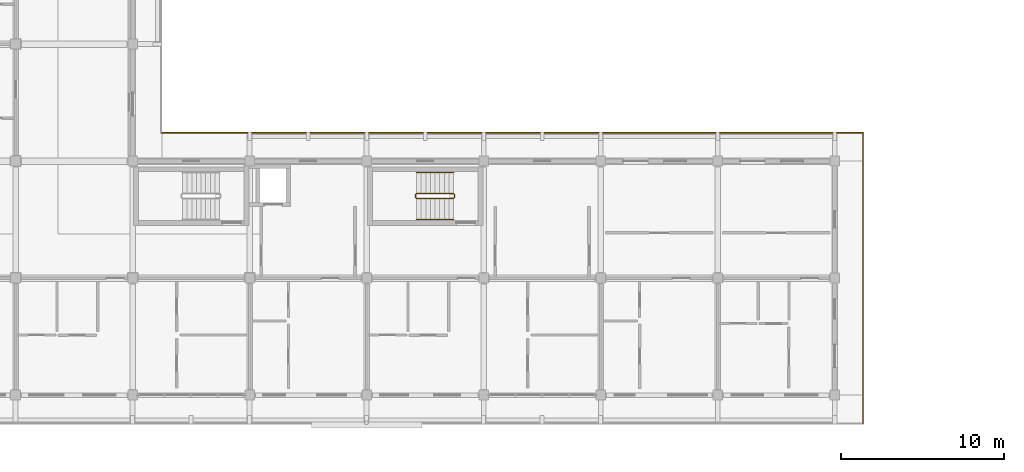
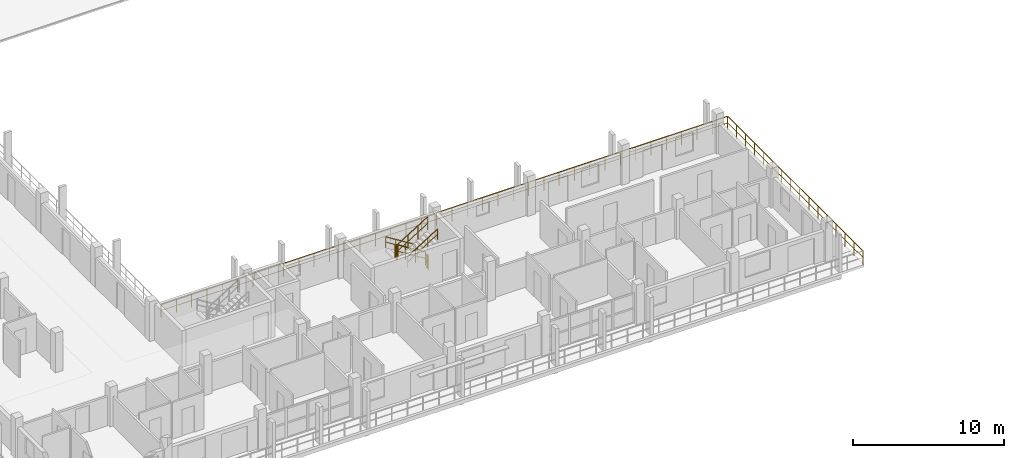
# One storey, part 145 of 157: 8 railings.
"""IFC4 building model written with IfcOpenShell, lengths in metres."""

from ifc_helpers import new_model, si_unit, direction, frame, origin, origin_2d, place, context, subcontext, project, spatial, rectangle, extrude, material, type_object, element, save


model = new_model("IFC4")

# Units and contexts
model_context = context("Model", 3, precision=1e-05, world=origin(), true_north=direction((0.0, 1.0)))
body_context = subcontext(model_context, "Body", "Model", "MODEL_VIEW")
ifc_project = project(units=[si_unit("LENGTHUNIT", "METRE"), si_unit("AREAUNIT", "SQUARE_METRE"), si_unit("VOLUMEUNIT", "CUBIC_METRE"), si_unit("PLANEANGLEUNIT", "RADIAN"), si_unit("MASSUNIT", "GRAM", prefix="KILO")], contexts=[model_context])

# Site, building, storey
site_placement = place(None, origin())
site = spatial("IfcSite", under=ifc_project, at=site_placement, CompositionType="ELEMENT")
building_placement = place(site_placement, origin())
building = spatial("IfcBuilding", under=site, at=building_placement, Name="Suanplinth Sawtooth Commons", CompositionType="ELEMENT")
storey_placement = place(building_placement, frame((0.0, 0.0, 9.0)))
storey = spatial("IfcBuildingStorey", under=building, at=storey_placement, Name="L02", CompositionType="ELEMENT", Elevation=9.0)

# Railings
ifc_material_1 = material(Name="Powder-coated galvanized steel", Category="steel")
railing_type_1 = type_object("IfcRailingType", Name="GR-01", PredefinedType="BALUSTRADE", material=ifc_material_1)
railing_1_placement = place(storey_placement, frame((16.139892578125, 16.139892578125, 0.0)))
element("IfcRailing", 1, at=railing_1_placement, inside=storey, type_object=railing_type_1, Name="L02 Block D Perimeter Balustrade 4", PredefinedType="BALUSTRADE", context=body_context, shape_type="SweptSolid", body=[
    extrude(rectangle(XDim=0.048095703125, YDim=0.048095703125, at=origin_2d()), frame((0.0, 0.0, 1.09619140625), z_axis=(1.0, 0.0, 0.0), x_axis=(0.0, 1.0, 0.0)), (0.0, 0.0, 1.0), 43.2001953125),
    extrude(rectangle(XDim=0.03369140625, YDim=0.03369140625, at=origin_2d()), frame((0.0, 0.0, 0.56005859375), z_axis=(1.0, 0.0, 0.0), x_axis=(0.0, 1.0, 0.0)), (0.0, 0.0, 1.0), 43.2001953125),
    extrude(rectangle(XDim=0.0419921875, YDim=0.0419921875, at=origin_2d()), origin(), (0.0, 0.0, 1.0), 1.072021484375),
    extrude(rectangle(XDim=0.0419921875, YDim=0.0419921875, at=origin_2d()), frame((1.16748046875, 0.0, 0.0)), (0.0, 0.0, 1.0), 1.072021484375),
    extrude(rectangle(XDim=0.0419921875, YDim=0.0419921875, at=origin_2d()), frame((2.335205078125, 0.0, 0.0)), (0.0, 0.0, 1.0), 1.072021484375),
    extrude(rectangle(XDim=0.0419921875, YDim=0.0419921875, at=origin_2d()), frame((3.502685546875, 0.0, 0.0)), (0.0, 0.0, 1.0), 1.072021484375),
    extrude(rectangle(XDim=0.0419921875, YDim=0.0419921875, at=origin_2d()), frame((4.67041015625, 0.0, 0.0)), (0.0, 0.0, 1.0), 1.072021484375),
    extrude(rectangle(XDim=0.0419921875, YDim=0.0419921875, at=origin_2d()), frame((5.837890625, 0.0, 0.0)), (0.0, 0.0, 1.0), 1.072021484375),
    extrude(rectangle(XDim=0.0419921875, YDim=0.0419921875, at=origin_2d()), frame((7.00537109375, 0.0, 0.0)), (0.0, 0.0, 1.0), 1.072021484375),
    extrude(rectangle(XDim=0.0419921875, YDim=0.0419921875, at=origin_2d()), frame((8.173095703125, 0.0, 0.0)), (0.0, 0.0, 1.0), 1.072021484375),
    extrude(rectangle(XDim=0.0419921875, YDim=0.0419921875, at=origin_2d()), frame((9.340576171875, 0.0, 0.0)), (0.0, 0.0, 1.0), 1.072021484375),
    extrude(rectangle(XDim=0.0419921875, YDim=0.0419921875, at=origin_2d()), frame((10.508056640625, 0.0, 0.0)), (0.0, 0.0, 1.0), 1.072021484375),
    extrude(rectangle(XDim=0.0419921875, YDim=0.0419921875, at=origin_2d()), frame((11.67578125, 0.0, 0.0)), (0.0, 0.0, 1.0), 1.072021484375),
    extrude(rectangle(XDim=0.0419921875, YDim=0.0419921875, at=origin_2d()), frame((12.84326171875, 0.0, 0.0)), (0.0, 0.0, 1.0), 1.072021484375),
    extrude(rectangle(XDim=0.0419921875, YDim=0.0419921875, at=origin_2d()), frame((14.010986328125, 0.0, 0.0)), (0.0, 0.0, 1.0), 1.072021484375),
    extrude(rectangle(XDim=0.0419921875, YDim=0.0419921875, at=origin_2d()), frame((15.178466796875, 0.0, 0.0)), (0.0, 0.0, 1.0), 1.072021484375),
    extrude(rectangle(XDim=0.0419921875, YDim=0.0419921875, at=origin_2d()), frame((16.345947265625, 0.0, 0.0)), (0.0, 0.0, 1.0), 1.072021484375),
    extrude(rectangle(XDim=0.0419921875, YDim=0.0419921875, at=origin_2d()), frame((17.513671875, 0.0, 0.0)), (0.0, 0.0, 1.0), 1.072021484375),
    extrude(rectangle(XDim=0.0419921875, YDim=0.0419921875, at=origin_2d()), frame((18.68115234375, 0.0, 0.0)), (0.0, 0.0, 1.0), 1.072021484375),
    extrude(rectangle(XDim=0.0419921875, YDim=0.0419921875, at=origin_2d()), frame((19.8486328125, 0.0, 0.0)), (0.0, 0.0, 1.0), 1.072021484375),
    extrude(rectangle(XDim=0.0419921875, YDim=0.0419921875, at=origin_2d()), frame((21.016357421875, 0.0, 0.0)), (0.0, 0.0, 1.0), 1.072021484375),
    extrude(rectangle(XDim=0.0419921875, YDim=0.0419921875, at=origin_2d()), frame((22.183837890625, 0.0, 0.0)), (0.0, 0.0, 1.0), 1.072021484375),
    extrude(rectangle(XDim=0.0419921875, YDim=0.0419921875, at=origin_2d()), frame((23.3515625, 0.0, 0.0)), (0.0, 0.0, 1.0), 1.072021484375),
    extrude(rectangle(XDim=0.0419921875, YDim=0.0419921875, at=origin_2d()), frame((24.51904296875, 0.0, 0.0)), (0.0, 0.0, 1.0), 1.072021484375),
    extrude(rectangle(XDim=0.0419921875, YDim=0.0419921875, at=origin_2d()), frame((25.6865234375, 0.0, 0.0)), (0.0, 0.0, 1.0), 1.072021484375),
    extrude(rectangle(XDim=0.0419921875, YDim=0.0419921875, at=origin_2d()), frame((26.854248046875, 0.0, 0.0)), (0.0, 0.0, 1.0), 1.072021484375),
    extrude(rectangle(XDim=0.0419921875, YDim=0.0419921875, at=origin_2d()), frame((28.021728515625, 0.0, 0.0)), (0.0, 0.0, 1.0), 1.072021484375),
    extrude(rectangle(XDim=0.0419921875, YDim=0.0419921875, at=origin_2d()), frame((29.189208984375, 0.0, 0.0)), (0.0, 0.0, 1.0), 1.072021484375),
    extrude(rectangle(XDim=0.0419921875, YDim=0.0419921875, at=origin_2d()), frame((30.35693359375, 0.0, 0.0)), (0.0, 0.0, 1.0), 1.072021484375),
    extrude(rectangle(XDim=0.0419921875, YDim=0.0419921875, at=origin_2d()), frame((31.5244140625, 0.0, 0.0)), (0.0, 0.0, 1.0), 1.072021484375),
    extrude(rectangle(XDim=0.0419921875, YDim=0.0419921875, at=origin_2d()), frame((32.692138671875, 0.0, 0.0)), (0.0, 0.0, 1.0), 1.072021484375),
    extrude(rectangle(XDim=0.0419921875, YDim=0.0419921875, at=origin_2d()), frame((33.859619140625, 0.0, 0.0)), (0.0, 0.0, 1.0), 1.072021484375),
    extrude(rectangle(XDim=0.0419921875, YDim=0.0419921875, at=origin_2d()), frame((35.027099609375, 0.0, 0.0)), (0.0, 0.0, 1.0), 1.072021484375),
    extrude(rectangle(XDim=0.0419921875, YDim=0.0419921875, at=origin_2d()), frame((36.19482421875, 0.0, 0.0)), (0.0, 0.0, 1.0), 1.072021484375),
    extrude(rectangle(XDim=0.0419921875, YDim=0.0419921875, at=origin_2d()), frame((37.3623046875, 0.0, 0.0)), (0.0, 0.0, 1.0), 1.072021484375),
    extrude(rectangle(XDim=0.0419921875, YDim=0.0419921875, at=origin_2d()), frame((38.52978515625, 0.0, 0.0)), (0.0, 0.0, 1.0), 1.072021484375),
    extrude(rectangle(XDim=0.0419921875, YDim=0.0419921875, at=origin_2d()), frame((39.697509765625, 0.0, 0.0)), (0.0, 0.0, 1.0), 1.072021484375),
    extrude(rectangle(XDim=0.0419921875, YDim=0.0419921875, at=origin_2d()), frame((40.864990234375, 0.0, 0.0)), (0.0, 0.0, 1.0), 1.072021484375),
    extrude(rectangle(XDim=0.0419921875, YDim=0.0419921875, at=origin_2d()), frame((42.03271484375, 0.0, 0.0)), (0.0, 0.0, 1.0), 1.072021484375),
    extrude(rectangle(XDim=0.0419921875, YDim=0.0419921875, at=origin_2d()), frame((43.2001953125, 0.0, 0.0)), (0.0, 0.0, 1.0), 1.072021484375),
])
railing_2_placement = place(storey_placement, frame((59.340087890625, 16.139892578125, 0.0)))
element("IfcRailing", 2, at=railing_2_placement, inside=storey, type_object=railing_type_1, Name="L02 Block D Perimeter Balustrade 5", PredefinedType="BALUSTRADE", context=body_context, shape_type="SweptSolid", body=[
    extrude(rectangle(XDim=0.048095703125, YDim=0.048095703125, at=origin_2d()), frame((0.0, 0.0, 1.09619140625), z_axis=(0.0, -1.0, 0.0), x_axis=(1.0, 0.0, 0.0)), (0.0, 0.0, 1.0), 17.8798828125),
    extrude(rectangle(XDim=0.03369140625, YDim=0.03369140625, at=origin_2d()), frame((0.0, 0.0, 0.56005859375), z_axis=(0.0, -1.0, 0.0), x_axis=(1.0, 0.0, 0.0)), (0.0, 0.0, 1.0), 17.8798828125),
    extrude(rectangle(XDim=0.0419921875, YDim=0.0419921875, at=origin_2d()), origin(), (0.0, 0.0, 1.0), 1.072021484375),
    extrude(rectangle(XDim=0.0419921875, YDim=0.0419921875, at=origin_2d()), frame((0.0, -1.19189453125, 0.0)), (0.0, 0.0, 1.0), 1.072021484375),
    extrude(rectangle(XDim=0.0419921875, YDim=0.0419921875, at=origin_2d()), frame((0.0, -2.384033203125, 0.0)), (0.0, 0.0, 1.0), 1.072021484375),
    extrude(rectangle(XDim=0.0419921875, YDim=0.0419921875, at=origin_2d()), frame((0.0, -3.575927734375, 0.0)), (0.0, 0.0, 1.0), 1.072021484375),
    extrude(rectangle(XDim=0.0419921875, YDim=0.0419921875, at=origin_2d()), frame((0.0, -4.76806640625, 0.0)), (0.0, 0.0, 1.0), 1.072021484375),
    extrude(rectangle(XDim=0.0419921875, YDim=0.0419921875, at=origin_2d()), frame((0.0, -5.9599609375, 0.0)), (0.0, 0.0, 1.0), 1.072021484375),
    extrude(rectangle(XDim=0.0419921875, YDim=0.0419921875, at=origin_2d()), frame((0.0, -7.15185546875, 0.0)), (0.0, 0.0, 1.0), 1.072021484375),
    extrude(rectangle(XDim=0.0419921875, YDim=0.0419921875, at=origin_2d()), frame((0.0, -8.343994140625, 0.0)), (0.0, 0.0, 1.0), 1.072021484375),
    extrude(rectangle(XDim=0.0419921875, YDim=0.0419921875, at=origin_2d()), frame((0.0, -9.535888671875, 0.0)), (0.0, 0.0, 1.0), 1.072021484375),
    extrude(rectangle(XDim=0.0419921875, YDim=0.0419921875, at=origin_2d()), frame((0.0, -10.72802734375, 0.0)), (0.0, 0.0, 1.0), 1.072021484375),
    extrude(rectangle(XDim=0.0419921875, YDim=0.0419921875, at=origin_2d()), frame((0.0, -11.919921875, 0.0)), (0.0, 0.0, 1.0), 1.072021484375),
    extrude(rectangle(XDim=0.0419921875, YDim=0.0419921875, at=origin_2d()), frame((0.0, -13.11181640625, 0.0)), (0.0, 0.0, 1.0), 1.072021484375),
    extrude(rectangle(XDim=0.0419921875, YDim=0.0419921875, at=origin_2d()), frame((0.0, -14.303955078125, 0.0)), (0.0, 0.0, 1.0), 1.072021484375),
    extrude(rectangle(XDim=0.0419921875, YDim=0.0419921875, at=origin_2d()), frame((0.0, -15.495849609375, 0.0)), (0.0, 0.0, 1.0), 1.072021484375),
    extrude(rectangle(XDim=0.0419921875, YDim=0.0419921875, at=origin_2d()), frame((0.0, -16.68798828125, 0.0)), (0.0, 0.0, 1.0), 1.072021484375),
    extrude(rectangle(XDim=0.0419921875, YDim=0.0419921875, at=origin_2d()), frame((0.0, -17.8798828125, 0.0)), (0.0, 0.0, 1.0), 1.072021484375),
])
ifc_material_2 = material(Name="Stainless steel Grade 304", Category="steel")
railing_type_2 = type_object("IfcRailingType", Name="GR-04", PredefinedType="GUARDRAIL", material=ifc_material_2)
railing_3_placement = place(storey_placement, frame((34.14990234375, 12.39990234375, 0.177734375)))
element("IfcRailing", 3, at=railing_3_placement, inside=storey, type_object=railing_type_2, Name="L02 ST-W2 Guard 1", PredefinedType="GUARDRAIL", context=body_context, shape_type="SweptSolid", body=[
    extrude(rectangle(XDim=0.048095703125, YDim=0.048095703125, at=origin_2d()), frame((0.0, 0.0, 1.076171875), z_axis=(-0.848416591296, 0.0, 0.529329091978), x_axis=(0.0, -1.0, 0.0)), (0.0, 0.0, 1.0), 2.68701171875),
    extrude(rectangle(XDim=0.03369140625, YDim=0.03369140625, at=origin_2d()), frame((0.0, 0.0, 0.550048828125), z_axis=(-0.848416591296, 0.0, 0.529329091978), x_axis=(0.0, -1.0, 0.0)), (0.0, 0.0, 1.0), 2.68701171875),
    extrude(rectangle(XDim=0.0419921875, YDim=0.0419921875, at=origin_2d()), origin(), (0.0, 0.0, 1.0), 1.052001953125),
    extrude(rectangle(XDim=0.0419921875, YDim=0.0419921875, at=origin_2d()), frame((-0.760009765625, 0.0, 0.47412109375)), (0.0, 0.0, 1.0), 1.052001953125),
    extrude(rectangle(XDim=0.0419921875, YDim=0.0419921875, at=origin_2d()), frame((-1.519775390625, 0.0, 0.9482421875)), (0.0, 0.0, 1.0), 1.052001953125),
    extrude(rectangle(XDim=0.0419921875, YDim=0.0419921875, at=origin_2d()), frame((-2.27978515625, 0.0, 1.42236328125)), (0.0, 0.0, 1.0), 1.052001953125),
])
railing_4_placement = place(storey_placement, frame((31.820068359375, 12.35009765625, 1.60009765625)))
element("IfcRailing", 4, at=railing_4_placement, inside=storey, type_object=railing_type_2, Name="L02 ST-W2 Guard 2", PredefinedType="GUARDRAIL", context=body_context, shape_type="SweptSolid", body=[
    extrude(rectangle(XDim=0.048095703125, YDim=0.048095703125, at=origin_2d()), frame((0.0, 0.0, 1.076171875), z_axis=(0.0, -1.0, 0.0), x_axis=(1.0, 0.0, 0.0)), (0.0, 0.0, 1.0), 0.2001953125),
    extrude(rectangle(XDim=0.03369140625, YDim=0.03369140625, at=origin_2d()), frame((0.0, 0.0, 0.550048828125), z_axis=(0.0, -1.0, 0.0), x_axis=(1.0, 0.0, 0.0)), (0.0, 0.0, 1.0), 0.2001953125),
    extrude(rectangle(XDim=0.0419921875, YDim=0.0419921875, at=origin_2d()), origin(), (0.0, 0.0, 1.0), 1.052001953125),
    extrude(rectangle(XDim=0.0419921875, YDim=0.0419921875, at=origin_2d()), frame((0.0, -0.2001953125, 0.0)), (0.0, 0.0, 1.0), 1.052001953125),
])
railing_5_placement = place(storey_placement, frame((31.8701171875, 12.10009765625, 1.77783203125)))
element("IfcRailing", 5, at=railing_5_placement, inside=storey, type_object=railing_type_2, Name="L02 ST-W2 Guard 3", PredefinedType="GUARDRAIL", context=body_context, shape_type="SweptSolid", body=[
    extrude(rectangle(XDim=0.048095703125, YDim=0.048095703125, at=origin_2d()), frame((0.0, 0.0, 1.076171875), z_axis=(0.848457393559, 0.0, 0.529263687886), x_axis=(0.0, 1.0, 0.0)), (0.0, 0.0, 1.0), 2.68701171875),
    extrude(rectangle(XDim=0.03369140625, YDim=0.03369140625, at=origin_2d()), frame((0.0, 0.0, 0.550048828125), z_axis=(0.848457393559, 0.0, 0.529263687886), x_axis=(0.0, 1.0, 0.0)), (0.0, 0.0, 1.0), 2.68701171875),
    extrude(rectangle(XDim=0.0419921875, YDim=0.0419921875, at=origin_2d()), origin(), (0.0, 0.0, 1.0), 1.052001953125),
    extrude(rectangle(XDim=0.0419921875, YDim=0.0419921875, at=origin_2d()), frame((0.760009765625, 0.0, 0.47412109375)), (0.0, 0.0, 1.0), 1.052001953125),
    extrude(rectangle(XDim=0.0419921875, YDim=0.0419921875, at=origin_2d()), frame((1.519775390625, 0.0, 0.947998046875)), (0.0, 0.0, 1.0), 1.052001953125),
    extrude(rectangle(XDim=0.0419921875, YDim=0.0419921875, at=origin_2d()), frame((2.27978515625, 0.0, 1.422119140625)), (0.0, 0.0, 1.0), 1.052001953125),
])
railing_6_placement = place(storey_placement, frame((34.199951171875, 12.35009765625, 0.0)))
element("IfcRailing", 6, at=railing_6_placement, inside=storey, type_object=railing_type_2, Name="L02 ST-W2 Guard 4", PredefinedType="GUARDRAIL", context=body_context, shape_type="SweptSolid", body=[
    extrude(rectangle(XDim=0.048095703125, YDim=0.048095703125, at=origin_2d()), frame((0.0, 0.0, 1.076171875), z_axis=(0.0, -1.0, 0.0), x_axis=(1.0, 0.0, 0.0)), (0.0, 0.0, 1.0), 0.2001953125),
    extrude(rectangle(XDim=0.03369140625, YDim=0.03369140625, at=origin_2d()), frame((0.0, 0.0, 0.550048828125), z_axis=(0.0, -1.0, 0.0), x_axis=(1.0, 0.0, 0.0)), (0.0, 0.0, 1.0), 0.2001953125),
    extrude(rectangle(XDim=0.0419921875, YDim=0.0419921875, at=origin_2d()), origin(), (0.0, 0.0, 1.0), 1.052001953125),
    extrude(rectangle(XDim=0.0419921875, YDim=0.0419921875, at=origin_2d()), frame((0.0, -0.2001953125, 0.0)), (0.0, 0.0, 1.0), 1.052001953125),
])
railing_type_3 = type_object("IfcRailingType", Name="HR-01", PredefinedType="HANDRAIL", material=ifc_material_2)
railing_7_placement = place(storey_placement, frame((34.14990234375, 13.699951171875, 0.177734375)))
element("IfcRailing", 7, at=railing_7_placement, inside=storey, type_object=railing_type_3, Name="L02 ST-W2 Handrail 1", PredefinedType="HANDRAIL", context=body_context, shape_type="SweptSolid", body=[
    extrude(rectangle(XDim=0.048095703125, YDim=0.048095703125, at=origin_2d()), frame((0.0, 0.0, 0.8759765625), z_axis=(-0.848416591296, 0.0, 0.529329091978), x_axis=(0.0, -1.0, 0.0)), (0.0, 0.0, 1.0), 2.68701171875),
    extrude(rectangle(XDim=0.03369140625, YDim=0.03369140625, at=origin_2d()), frame((0.0, 0.0, 0.449951171875), z_axis=(-0.848416591296, 0.0, 0.529329091978), x_axis=(0.0, -1.0, 0.0)), (0.0, 0.0, 1.0), 2.68701171875),
    extrude(rectangle(XDim=0.0419921875, YDim=0.0419921875, at=origin_2d()), origin(), (0.0, 0.0, 1.0), 0.851806640625),
    extrude(rectangle(XDim=0.0419921875, YDim=0.0419921875, at=origin_2d()), frame((-0.760009765625, 0.0, 0.47412109375)), (0.0, 0.0, 1.0), 0.851806640625),
    extrude(rectangle(XDim=0.0419921875, YDim=0.0419921875, at=origin_2d()), frame((-1.519775390625, 0.0, 0.9482421875)), (0.0, 0.0, 1.0), 0.851806640625),
    extrude(rectangle(XDim=0.0419921875, YDim=0.0419921875, at=origin_2d()), frame((-2.27978515625, 0.0, 1.42236328125)), (0.0, 0.0, 1.0), 0.851806640625),
])
railing_8_placement = place(storey_placement, frame((31.8701171875, 10.800048828125, 1.77783203125)))
element("IfcRailing", 8, at=railing_8_placement, inside=storey, type_object=railing_type_3, Name="L02 ST-W2 Handrail 2", PredefinedType="HANDRAIL", context=body_context, shape_type="SweptSolid", body=[
    extrude(rectangle(XDim=0.048095703125, YDim=0.048095703125, at=origin_2d()), frame((0.0, 0.0, 0.8759765625), z_axis=(0.848457393559, 0.0, 0.529263687886), x_axis=(0.0, 1.0, 0.0)), (0.0, 0.0, 1.0), 2.68701171875),
    extrude(rectangle(XDim=0.03369140625, YDim=0.03369140625, at=origin_2d()), frame((0.0, 0.0, 0.449951171875), z_axis=(0.848457393559, 0.0, 0.529263687886), x_axis=(0.0, 1.0, 0.0)), (0.0, 0.0, 1.0), 2.68701171875),
    extrude(rectangle(XDim=0.0419921875, YDim=0.0419921875, at=origin_2d()), origin(), (0.0, 0.0, 1.0), 0.851806640625),
    extrude(rectangle(XDim=0.0419921875, YDim=0.0419921875, at=origin_2d()), frame((0.760009765625, 0.0, 0.47412109375)), (0.0, 0.0, 1.0), 0.851806640625),
    extrude(rectangle(XDim=0.0419921875, YDim=0.0419921875, at=origin_2d()), frame((1.519775390625, 0.0, 0.947998046875)), (0.0, 0.0, 1.0), 0.851806640625),
    extrude(rectangle(XDim=0.0419921875, YDim=0.0419921875, at=origin_2d()), frame((2.27978515625, 0.0, 1.422119140625)), (0.0, 0.0, 1.0), 0.851806640625),
])

save(model, "model.ifc")
